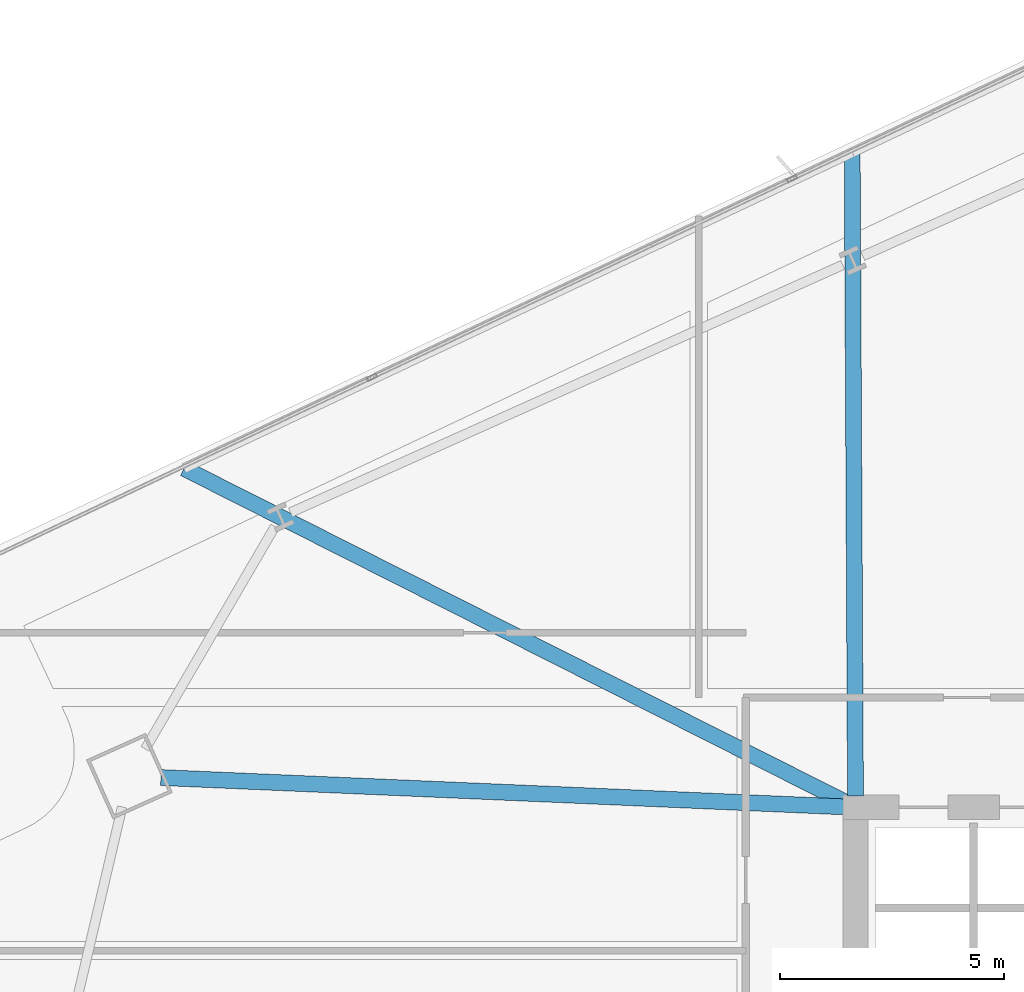
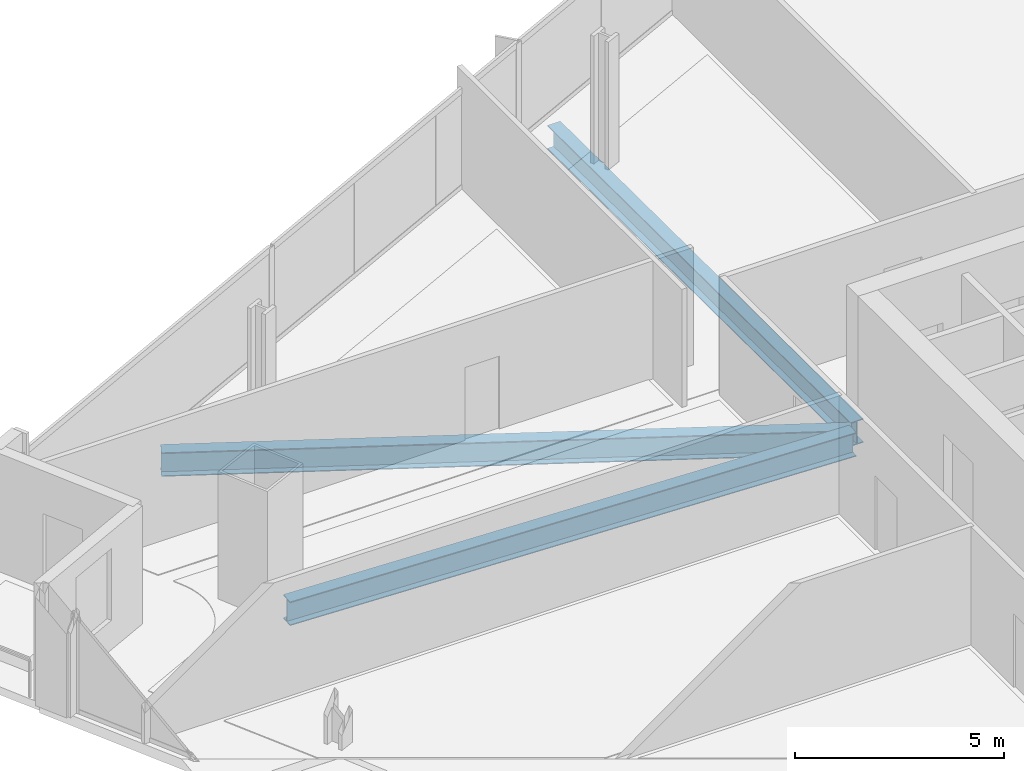
# One storey, part 16 of 34: 3 beams.
"""IFC4 building model written with IfcOpenShell, lengths in metres."""

from ifc_helpers import new_model, si_unit, direction, frame, origin, origin_2d, place, context, subcontext, project, spatial, i_section, extrude, material, material_profile, profile_set, type_object, element, save


model = new_model("IFC4")

# Units and contexts
model_context = context("Model", 3, precision=1e-05, world=origin(), true_north=direction((0.0, 1.0)))
body_context = subcontext(model_context, "Body", "Model", "MODEL_VIEW")
ifc_project = project(units=[si_unit("LENGTHUNIT", "METRE"), si_unit("AREAUNIT", "SQUARE_METRE"), si_unit("VOLUMEUNIT", "CUBIC_METRE"), si_unit("PLANEANGLEUNIT", "RADIAN"), si_unit("MASSUNIT", "GRAM", prefix="KILO")], contexts=[model_context])

# Site, building, storey
site_placement = place(None, origin())
site = spatial("IfcSite", under=ifc_project, at=site_placement, CompositionType="ELEMENT")
building_placement = place(site_placement, origin())
building = spatial("IfcBuilding", under=site, at=building_placement, Name="Haldenkirk Collegiate Tower", CompositionType="ELEMENT")
storey_placement = place(building_placement, frame((0.0, 0.0, 112.949951171875)))
storey = spatial("IfcBuildingStorey", under=building, at=storey_placement, Name="L27", CompositionType="ELEMENT", Elevation=112.949951171875)

# Beams
ifc_material = material(Name="Steel ASTM A992 Grade 50", Category="steel")
ifc_material_profile = material_profile(ifc_material, i_section(OverallWidth=0.35498046875, OverallDepth=0.696044921875, WebThickness=0.015380859375, FlangeThickness=0.02490234375, at=origin_2d()), Name="W27X146")
ifc_profile_set = profile_set([ifc_material_profile], Name="Steel ASTM A992 Grade 50")
beam_type = type_object("IfcBeamType", Name="BM-GIRDER-W27X146", PredefinedType="BEAM", material=ifc_profile_set)
beam_1_placement = place(storey_placement, frame((11.489990234375, 34.6650390625, -0.64794921875), z_axis=(0.999082162822, -0.042834938212, 0.0), x_axis=(0.042834938212, 0.999082162822, 0.0)))
element("IfcBeam", 1, at=beam_1_placement, inside=storey, type_object=beam_type, Name="L27 primary floor girder 04", PredefinedType="BEAM", context=body_context, shape_type="SweptSolid", body=[
    extrude(i_section(OverallWidth=0.35498046875, OverallDepth=0.696044921875, WebThickness=0.015380859375, FlangeThickness=0.02490234375, at=origin_2d()), origin(), (0.0, 0.0, 1.0), 15.26904296875),
])
beam_2_placement = place(storey_placement, frame((26.925537109375, 48.62158203125, -0.64794921875), z_axis=(0.005097986296, -0.999987005183, 0.0), x_axis=(0.999987005183, 0.005097986296, 0.0)))
element("IfcBeam", 2, at=beam_2_placement, inside=storey, type_object=beam_type, Name="L27 primary floor girder 12", PredefinedType="BEAM", context=body_context, shape_type="SweptSolid", body=[
    extrude(i_section(OverallWidth=0.35498046875, OverallDepth=0.696044921875, WebThickness=0.015380859375, FlangeThickness=0.02490234375, at=origin_2d()), origin(), (0.0, 0.0, 1.0), 14.366943359375),
])
beam_3_placement = place(storey_placement, frame((12.005859375, 41.569091796875, -0.64794921875), z_axis=(0.892708544172, -0.450634502854, 0.0), x_axis=(0.450634502854, 0.892708544172, 0.0)))
element("IfcBeam", 3, at=beam_3_placement, inside=storey, type_object=beam_type, Name="L27 primary floor girder 13", PredefinedType="BEAM", context=body_context, shape_type="SweptSolid", body=[
    extrude(i_section(OverallWidth=0.35498046875, OverallDepth=0.696044921875, WebThickness=0.015380859375, FlangeThickness=0.02490234375, at=origin_2d()), origin(), (0.0, 0.0, 1.0), 16.541259765625),
])

save(model, "model.ifc")
